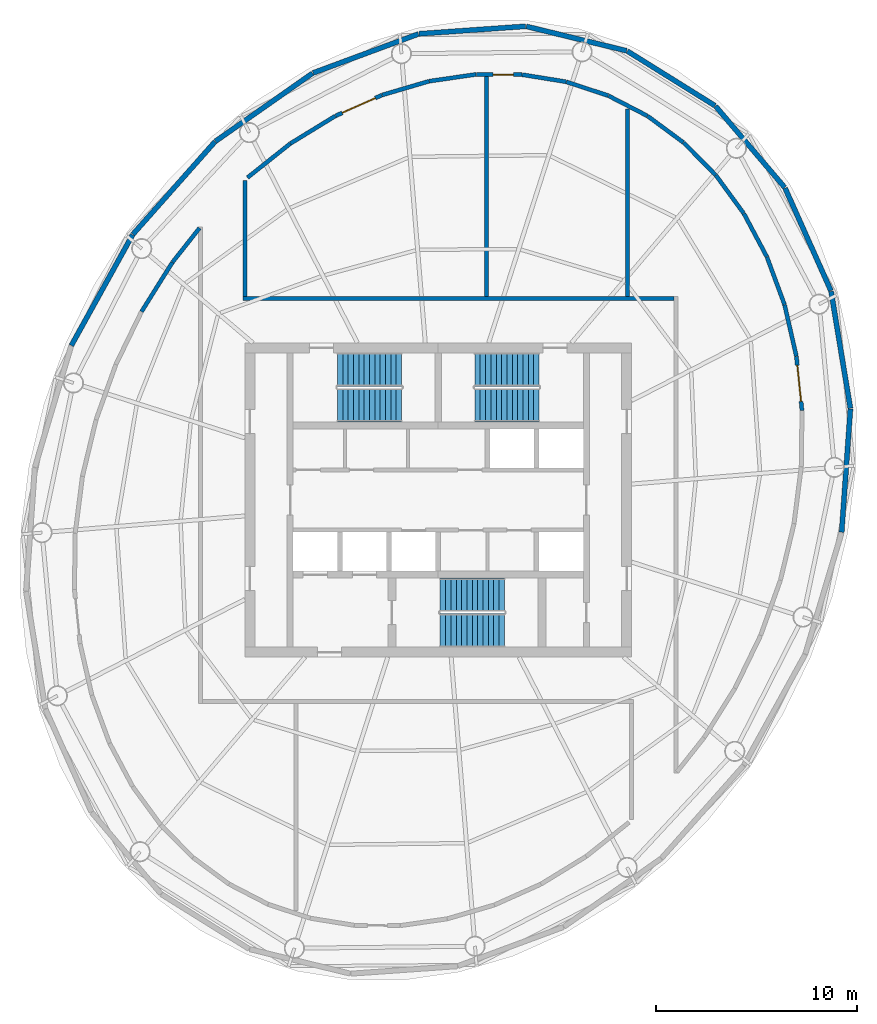
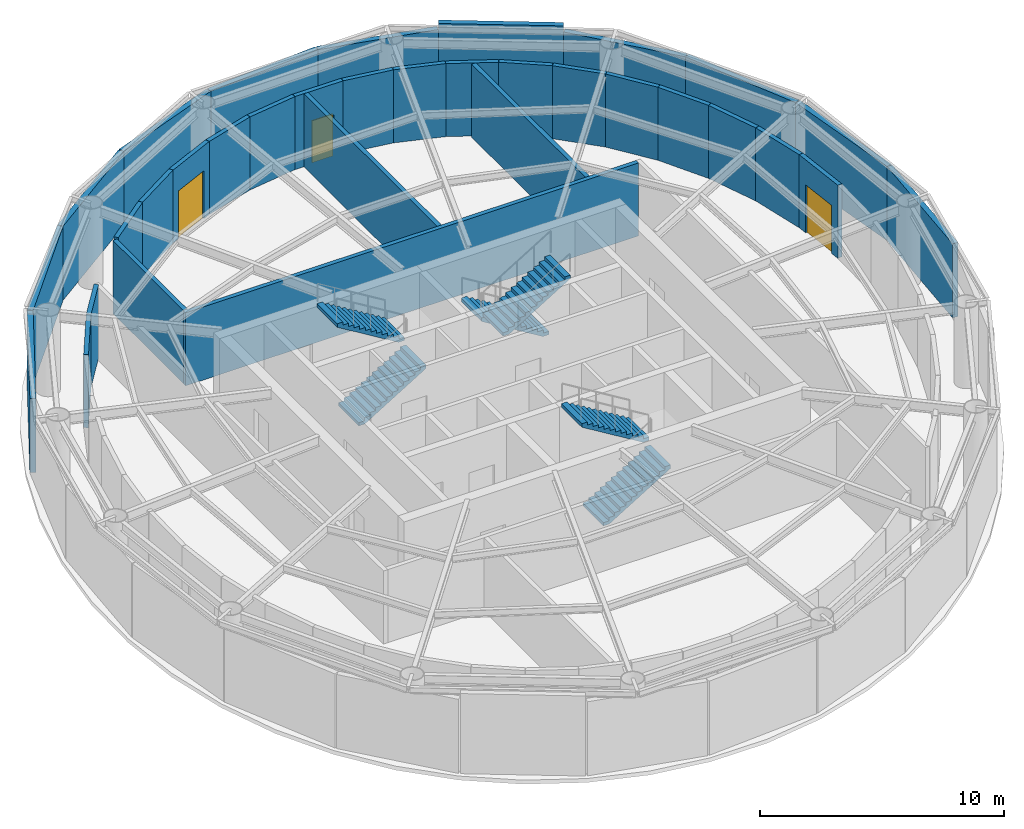
# One storey, part 5 of 6: 33 walls, 6 stair flights, 3 doors, 3 openings, 3 elements without a shape of their own.
"""IFC4 building model written with IfcOpenShell, lengths in metres."""

from ifc_helpers import new_model, si_unit, direction, frame, frame_2d, origin, place, context, subcontext, project, spatial, polyline, rectangle, outline, extrude, material, layer, layer_set, type_object, element, fill, aggregate, save


model = new_model("IFC4")

# Units and contexts
model_context = context("Model", 3, precision=1e-05, world=origin(), true_north=direction((0.0, 1.0)))
body_context = subcontext(model_context, "Body", "Model", "MODEL_VIEW")
ifc_project = project(units=[si_unit("LENGTHUNIT", "METRE"), si_unit("AREAUNIT", "SQUARE_METRE"), si_unit("VOLUMEUNIT", "CUBIC_METRE"), si_unit("PLANEANGLEUNIT", "RADIAN"), si_unit("MASSUNIT", "GRAM", prefix="KILO")], contexts=[model_context])

# Site, building, storey
site_placement = place(None, origin())
site = spatial("IfcSite", under=ifc_project, at=site_placement, CompositionType="ELEMENT")
building_placement = place(site_placement, origin())
building = spatial("IfcBuilding", under=site, at=building_placement, Name="Vermilion Reach Broadcast Tower", CompositionType="ELEMENT")
storey_placement = place(building_placement, frame((0.0, 0.0, 304.5)))
storey = spatial("IfcBuildingStorey", under=building, at=storey_placement, Name="L76 CROWN", CompositionType="ELEMENT", Elevation=304.5)

# Walls
ifc_material_1 = material(Name="Anodised aluminium louvre cladding", Category="aluminium")
ifc_layer_1 = layer(ifc_material_1, 0.25)
ifc_layer_set_1 = layer_set([ifc_layer_1], Name="Plant louvre wall 250")
wall_type_1 = type_object("IfcWallType", Name="Plant louvre wall 250", PredefinedType="SOLIDWALL", material=ifc_layer_set_1)
wall_1_placement = place(storey_placement, frame((7.736572265625, 19.56982421875, 0.0), z_axis=(0.0, 0.0, 1.0), x_axis=(-0.84872546146, 0.528833708333, 0.0)))
element("IfcWall", 1, at=wall_1_placement, inside=storey, type_object=wall_type_1, Name="Louvre wall L76 CROWN 24", PredefinedType="SOLIDWALL", context=body_context, shape_type="SweptSolid", body=[
    extrude(rectangle(XDim=5.124755859375, YDim=0.25, at=frame_2d((2.5625, 0.0))), origin(), (0.0, 0.0, 1.0), 4.0),
])
ifc_material_2 = material(Name="Anodised aluminium louvre cladding", Category="aluminium")
ifc_layer_2 = layer(ifc_material_2, 0.25)
ifc_layer_set_2 = layer_set([ifc_layer_2], Name="Plant louvre wall 250, head 300 below soffit")
wall_type_2 = type_object("IfcWallType", Name="Plant louvre wall 250, head 300 below soffit", PredefinedType="SOLIDWALL", material=ifc_layer_set_2)
wall_2_placement = place(storey_placement, frame((3.350830078125, 22.29541015625, 0.0), z_axis=(0.0, 0.0, 1.0), x_axis=(-0.971672333914, 0.236332129654, 0.0)))
element("IfcWall", 2, at=wall_2_placement, inside=storey, type_object=wall_type_2, Name="Louvre wall L76 CROWN 01", PredefinedType="SOLIDWALL", context=body_context, shape_type="SweptSolid", body=[
    extrude(rectangle(XDim=5.125, YDim=0.25, at=frame_2d((2.5625, 0.0))), origin(), (0.0, 0.0, 1.0), 3.699951171875),
])
wall_3_placement = place(storey_placement, frame((-1.666748046875, 23.509765625, 0.0), z_axis=(0.0, 0.0, 1.0), x_axis=(-0.997541335578, -0.070080552324, 0.0)))
element("IfcWall", 3, at=wall_3_placement, inside=storey, type_object=wall_type_2, Name="Louvre wall L76 CROWN 02", PredefinedType="SOLIDWALL", context=body_context, shape_type="SweptSolid", body=[
    extrude(rectangle(XDim=5.295166015625, YDim=0.25, at=frame_2d((2.6474609375, 0.0))), origin(), (0.0, 0.0, 1.0), 3.699951171875),
])
wall_4_placement = place(storey_placement, frame((-6.983154296875, 23.13134765625, 0.0), z_axis=(0.0, 0.0, 1.0), x_axis=(-0.937764073403, -0.34727300879, 0.0)))
element("IfcWall", 4, at=wall_4_placement, inside=storey, type_object=wall_type_2, Name="Louvre wall L76 CROWN 03", PredefinedType="SOLIDWALL", context=body_context, shape_type="SweptSolid", body=[
    extrude(rectangle(XDim=5.5771484375, YDim=0.25, at=frame_2d((2.78857421875, 0.0))), origin(), (0.0, 0.0, 1.0), 3.699951171875),
])
wall_5_placement = place(storey_placement, frame((-12.2412109375, 21.1796875, 0.0), z_axis=(0.0, 0.0, 1.0), x_axis=(-0.818761962214, -0.574133128492, 0.0)))
element("IfcWall", 5, at=wall_5_placement, inside=storey, type_object=wall_type_2, Name="Louvre wall L76 CROWN 04", PredefinedType="SOLIDWALL", context=body_context, shape_type="SweptSolid", body=[
    extrude(rectangle(XDim=5.88525390625, YDim=0.25, at=frame_2d((2.942626953125, 0.0))), origin(), (0.0, 0.0, 1.0), 3.699951171875),
])
wall_6_placement = place(storey_placement, frame((-17.081298828125, 17.781494140625, 0.0), z_axis=(0.0, 0.0, 1.0), x_axis=(-0.663232601491, -0.748413332537, 0.0)))
element("IfcWall", 6, at=wall_6_placement, inside=storey, type_object=wall_type_2, Name="Louvre wall L76 CROWN 05", PredefinedType="SOLIDWALL", context=body_context, shape_type="SweptSolid", body=[
    extrude(rectangle(XDim=6.139404296875, YDim=0.25, at=frame_2d((3.06982421875, 0.0))), origin(), (0.0, 0.0, 1.0), 3.699951171875),
])
wall_7_placement = place(storey_placement, frame((-21.168701171875, 13.164794921875, 0.0), z_axis=(0.0, 0.0, 1.0), x_axis=(-0.484124074201, -0.874999360445, 0.0)))
element("IfcWall", 7, at=wall_7_placement, inside=storey, type_object=wall_type_2, Name="Louvre wall L76 CROWN 06", PredefinedType="SOLIDWALL", context=body_context, shape_type="SweptSolid", body=[
    extrude(rectangle(XDim=6.281005859375, YDim=0.25, at=frame_2d((3.140625, 0.0))), origin(), (0.0, 0.0, 1.0), 3.699951171875),
])
wall_8_placement = place(storey_placement, frame((14.023681640625, -1.60009765625, 0.0), z_axis=(0.0, 0.0, 1.0), x_axis=(0.07066487406, 0.99750011307, 0.0)))
element("IfcWall", 8, at=wall_8_placement, inside=storey, type_object=wall_type_2, Name="Louvre wall L76 CROWN 20", PredefinedType="SOLIDWALL", context=body_context, shape_type="SweptSolid", body=[
    extrude(rectangle(XDim=6.139404296875, YDim=0.25, at=frame_2d((3.06982421875, 0.0))), origin(), (0.0, 0.0, 1.0), 3.699951171875),
])
wall_9_placement = place(storey_placement, frame((14.4560546875, 4.552734375, 0.0), z_axis=(0.0, 0.0, 1.0), x_axis=(-0.162616041589, 0.986689425816, 0.0)))
element("IfcWall", 9, at=wall_9_placement, inside=storey, type_object=wall_type_2, Name="Louvre wall L76 CROWN 21", PredefinedType="SOLIDWALL", context=body_context, shape_type="SweptSolid", body=[
    extrude(rectangle(XDim=5.88525390625, YDim=0.25, at=frame_2d((2.942626953125, 0.0))), origin(), (0.0, 0.0, 1.0), 3.699951171875),
])
wall_10_placement = place(storey_placement, frame((13.489990234375, 10.389892578125, 0.0), z_axis=(0.0, 0.0, 1.0), x_axis=(-0.407989751163, 0.912986507538, 0.0)))
element("IfcWall", 10, at=wall_10_placement, inside=storey, type_object=wall_type_2, Name="Louvre wall L76 CROWN 22", PredefinedType="SOLIDWALL", context=body_context, shape_type="SweptSolid", body=[
    extrude(rectangle(XDim=5.5771484375, YDim=0.25, at=frame_2d((2.78857421875, 0.0))), origin(), (0.0, 0.0, 1.0), 3.699951171875),
])
wall_11_placement = place(storey_placement, frame((11.196044921875, 15.511474609375, 0.0), z_axis=(0.0, 0.0, 1.0), x_axis=(-0.647893308308, 0.761731094973, 0.0)))
element("IfcWall", 11, at=wall_11_placement, inside=storey, type_object=wall_type_2, Name="Louvre wall L76 CROWN 23", PredefinedType="SOLIDWALL", context=body_context, shape_type="SweptSolid", body=[
    extrude(rectangle(XDim=5.295166015625, YDim=0.25, at=frame_2d((2.6474609375, 0.0))), origin(), (0.0, 0.0, 1.0), 3.699951171875),
])
ifc_material_3 = material(Name="Gypsum board shaft wall")
ifc_layer_3 = layer(ifc_material_3, 0.199951171875)
ifc_layer_set_3 = layer_set([ifc_layer_3], Name="Plant room wall 200")
wall_type_3 = type_object("IfcWallType", Name="Plant room wall 200", PredefinedType="PARTITIONING", material=ifc_layer_set_3)
wall_12_placement = place(storey_placement, frame((-15.7001953125, 10.0, 0.0), z_axis=(0.0, 0.0, 1.0), x_axis=(1.0, 0.0, 0.0)))
element("IfcWall", 12, at=wall_12_placement, inside=storey, type_object=wall_type_3, Name="sp.wall.L76 CROWN.000", PredefinedType="PARTITIONING", context=body_context, shape_type="SweptSolid", body=[
    extrude(rectangle(XDim=21.400146484375, YDim=0.199951171875, at=frame_2d((10.7001953125, 0.0))), origin(), (0.0, 0.0, 1.0), 3.64990234375),
])
wall_13_placement = place(storey_placement, frame((-15.60009765625, 10.10009765625, 0.0), z_axis=(0.0, 0.0, 1.0), x_axis=(0.0, 1.0, 0.0)))
element("IfcWall", 13, at=wall_13_placement, inside=storey, type_object=wall_type_3, Name="sp.wall.L76 CROWN.004", PredefinedType="PARTITIONING", context=body_context, shape_type="SweptSolid", body=[
    extrude(rectangle(XDim=5.767333984375, YDim=0.199951171875, at=frame_2d((2.8837890625, 0.0))), origin(), (0.0, 0.0, 1.0), 3.64990234375),
])
wall_14_placement = place(storey_placement, frame((-3.60009765625, 10.10009765625, 0.0), z_axis=(0.0, 0.0, 1.0), x_axis=(0.0, 1.0, 0.0)))
element("IfcWall", 14, at=wall_14_placement, inside=storey, type_object=wall_type_3, Name="sp.wall.L76 CROWN.006", PredefinedType="PARTITIONING", context=body_context, shape_type="SweptSolid", body=[
    extrude(rectangle(XDim=10.919921875, YDim=0.199951171875, at=frame_2d((5.4599609375, 0.0))), origin(), (0.0, 0.0, 1.0), 3.64990234375),
])
wall_15_placement = place(storey_placement, frame((-15.467529296875, 16.0009765625, 0.0), z_axis=(0.0, 0.0, 1.0), x_axis=(0.782665833332, 0.62244212047, 0.0)))
element("IfcWall", 15, at=wall_15_placement, inside=storey, type_object=wall_type_3, Name="sp.wall.L76 CROWN.007", PredefinedType="PARTITIONING", context=body_context, shape_type="SweptSolid", body=[
    extrude(rectangle(XDim=2.712158203125, YDim=0.199951171875, at=frame_2d((1.35595703125, 0.0))), origin(), (0.0, 0.0, 1.0), 3.64990234375),
])
wall_16_placement = place(storey_placement, frame((-13.334228515625, 17.69580078125, 0.0), z_axis=(0.0, 0.0, 1.0), x_axis=(0.852667029926, 0.522454721557, 0.0)))
element("IfcWall", 16, at=wall_16_placement, inside=storey, type_object=wall_type_3, Name="sp.wall.L76 CROWN.008", PredefinedType="PARTITIONING", context=body_context, shape_type="SweptSolid", body=[
    extrude(rectangle(XDim=2.613525390625, YDim=0.199951171875, at=frame_2d((1.306640625, 0.0))), origin(), (0.0, 0.0, 1.0), 3.64990234375),
])

# Wall, opening, door
wall_17_placement = place(storey_placement, frame((-8.7939453125, 20.097412109375, 0.0), z_axis=(0.0, 0.0, 1.0), x_axis=(-0.912552955942, -0.408958558538, 0.0)))
wall_17 = element("IfcWall", 17, at=wall_17_placement, inside=storey, type_object=wall_type_3, Name="sp.wall.L76 CROWN.009", PredefinedType="PARTITIONING", context=body_context, shape_type="SweptSolid", body=[
    extrude(rectangle(XDim=2.5205078125, YDim=0.199951171875, at=frame_2d((1.26025390625, 0.0))), origin(), (0.0, 0.0, 1.0), 3.64990234375),
])
opening_1_placement = place(wall_17_placement, frame((0.360107421875, 0.0, 0.0)))
opening_1 = element("IfcOpeningElement", 18, at=opening_1_placement, cuts=wall_17, Name="Opening D53", PredefinedType="OPENING", context=body_context, shape_type="SweptSolid", body=[
    extrude(rectangle(XDim=1.800048828125, YDim=2.39990234375, at=frame_2d((0.89990234375, 1.199951171875))), frame((0.0, 0.10986328125, 0.0), z_axis=(0.0, -1.0, 0.0), x_axis=(1.0, 0.0, 0.0)), (0.0, 0.0, 1.0), 0.219970703125),
])
ifc_material_4 = material(Name="Timber and steel door set", Category="steel")
door_type_1 = type_object("IfcDoorType", Name="Plant double door 1800x2400", OperationType="NOTDEFINED", PredefinedType="DOOR", material=ifc_material_4)
door_1_placement = place(opening_1_placement, origin())
door_1 = element("IfcDoor", 19, at=door_1_placement, inside=storey, type_object=door_type_1, Name="sp.door.L76 CROWN.000", OperationType="DOUBLE_DOOR_SINGLE_SWING", OverallHeight=2.39990234375, OverallWidth=1.800048828125, PredefinedType="DOOR", context=body_context, shape_type="SweptSolid", body=[
    extrude(rectangle(XDim=1.800048828125, YDim=2.39990234375, at=frame_2d((0.89990234375, 1.199951171875))), frame((0.0, 0.02490234375, 0.0), z_axis=(0.0, -1.0, 0.0), x_axis=(1.0, 0.0, 0.0)), (0.0, 0.0, 1.0), 0.050048828125),
])
fill(opening_1, door_1)

# Walls
wall_18_placement = place(storey_placement, frame((-8.781005859375, 20.101318359375, 0.0), z_axis=(0.0, 0.0, 1.0), x_axis=(0.95934146389, 0.28224803925, 0.0)))
element("IfcWall", 20, at=wall_18_placement, inside=storey, type_object=wall_type_3, Name="sp.wall.L76 CROWN.010", PredefinedType="PARTITIONING", context=body_context, shape_type="SweptSolid", body=[
    extrude(rectangle(XDim=2.42626953125, YDim=0.199951171875, at=frame_2d((1.213134765625, 0.0))), origin(), (0.0, 0.0, 1.0), 3.64990234375),
])
wall_19_placement = place(storey_placement, frame((-6.439208984375, 20.7880859375, 0.0), z_axis=(0.0, 0.0, 1.0), x_axis=(0.989671979467, 0.143350525141, 0.0)))
element("IfcWall", 21, at=wall_19_placement, inside=storey, type_object=wall_type_3, Name="sp.wall.L76 CROWN.011", PredefinedType="PARTITIONING", context=body_context, shape_type="SweptSolid", body=[
    extrude(rectangle(XDim=2.33837890625, YDim=0.199951171875, at=frame_2d((1.169189453125, 0.0))), origin(), (0.0, 0.0, 1.0), 3.64990234375),
])

# Wall, opening, door
wall_20_placement = place(storey_placement, frame((-1.84619140625, 21.111328125, 0.0), z_axis=(0.0, 0.0, 1.0), x_axis=(-0.999986603133, 0.005176248997, 0.0)))
wall_20 = element("IfcWall", 22, at=wall_20_placement, inside=storey, type_object=wall_type_3, Name="sp.wall.L76 CROWN.012", PredefinedType="PARTITIONING", context=body_context, shape_type="SweptSolid", body=[
    extrude(rectangle(XDim=2.263916015625, YDim=0.199951171875, at=frame_2d((1.1318359375, 0.0))), origin(), (0.0, 0.0, 1.0), 3.64990234375),
])
opening_2_placement = place(wall_20_placement, frame((0.427001953125, 0.0, 0.0)))
opening_2 = element("IfcOpeningElement", 23, at=opening_2_placement, cuts=wall_20, Name="Opening D54", PredefinedType="OPENING", context=body_context, shape_type="SweptSolid", body=[
    extrude(rectangle(XDim=1.0, YDim=2.10009765625, at=frame_2d((0.5, 1.050048828125))), frame((0.0, 0.10986328125, 0.0), z_axis=(0.0, -1.0, 0.0), x_axis=(1.0, 0.0, 0.0)), (0.0, 0.0, 1.0), 0.219970703125),
])
ifc_material_5 = material(Name="Timber and steel door set", Category="steel")
door_type_2 = type_object("IfcDoorType", Name="Fire door 1000x2100", OperationType="NOTDEFINED", PredefinedType="DOOR", material=ifc_material_5)
door_2_placement = place(opening_2_placement, origin())
door_2 = element("IfcDoor", 24, at=door_2_placement, inside=storey, type_object=door_type_2, Name="sp.door.L76 CROWN.001", OperationType="SINGLE_SWING_RIGHT", OverallHeight=2.10009765625, OverallWidth=1.0, PredefinedType="DOOR", context=body_context, shape_type="SweptSolid", body=[
    extrude(rectangle(XDim=1.0, YDim=2.10009765625, at=frame_2d((0.5, 1.050048828125))), frame((0.0, 0.02490234375, 0.0), z_axis=(0.0, -1.0, 0.0), x_axis=(1.0, 0.0, 0.0)), (0.0, 0.0, 1.0), 0.050048828125),
])
fill(opening_2, door_2)

# Walls
wall_21_placement = place(storey_placement, frame((3.39990234375, 10.10009765625, 0.0), z_axis=(0.0, 0.0, 1.0), x_axis=(0.0, 1.0, 0.0)))
element("IfcWall", 25, at=wall_21_placement, inside=storey, type_object=wall_type_3, Name="sp.wall.L76 CROWN.013", PredefinedType="PARTITIONING", context=body_context, shape_type="SweptSolid", body=[
    extrude(rectangle(XDim=9.30712890625, YDim=0.199951171875, at=frame_2d((4.653564453125, 0.0))), origin(), (0.0, 0.0, 1.0), 3.64990234375),
])
wall_22_placement = place(storey_placement, frame((-1.830810546875, 21.10888671875, 0.0), z_axis=(0.0, 0.0, 1.0), x_axis=(0.987257926423, -0.159128208423, 0.0)))
element("IfcWall", 26, at=wall_22_placement, inside=storey, type_object=wall_type_3, Name="sp.wall.L76 CROWN.014", PredefinedType="PARTITIONING", context=body_context, shape_type="SweptSolid", body=[
    extrude(rectangle(XDim=2.209228515625, YDim=0.199951171875, at=frame_2d((1.1044921875, 0.0))), origin(), (0.0, 0.0, 1.0), 3.64990234375),
])
wall_23_placement = place(storey_placement, frame((0.365478515625, 20.752197265625, 0.0), z_axis=(0.0, 0.0, 1.0), x_axis=(0.949852302688, -0.312698901627, 0.0)))
element("IfcWall", 27, at=wall_23_placement, inside=storey, type_object=wall_type_3, Name="sp.wall.L76 CROWN.015", PredefinedType="PARTITIONING", context=body_context, shape_type="SweptSolid", body=[
    extrude(rectangle(XDim=2.1806640625, YDim=0.199951171875, at=frame_2d((1.09033203125, 0.0))), origin(), (0.0, 0.0, 1.0), 3.64990234375),
])
wall_24_placement = place(storey_placement, frame((2.450927734375, 20.062744140625, 0.0), z_axis=(0.0, 0.0, 1.0), x_axis=(0.888068415533, -0.45971131086, 0.0)))
element("IfcWall", 28, at=wall_24_placement, inside=storey, type_object=wall_type_3, Name="sp.wall.L76 CROWN.016", PredefinedType="PARTITIONING", context=body_context, shape_type="SweptSolid", body=[
    extrude(rectangle(XDim=2.16455078125, YDim=0.199951171875, at=frame_2d((1.082275390625, 0.0))), origin(), (0.0, 0.0, 1.0), 3.64990234375),
])
wall_25_placement = place(storey_placement, frame((7.780029296875, 16.11865234375, 0.0), z_axis=(0.0, 0.0, 1.0), x_axis=(0.590082027637, -0.807343297897, 0.0)))
element("IfcWall", 29, at=wall_25_placement, inside=storey, type_object=wall_type_3, Name="sp.wall.L76 CROWN.017", PredefinedType="PARTITIONING", context=body_context, shape_type="SweptSolid", body=[
    extrude(rectangle(XDim=2.33837890625, YDim=0.199951171875, at=frame_2d((1.169189453125, 0.0))), origin(), (0.0, 0.0, 1.0), 3.64990234375),
])
wall_26_placement = place(storey_placement, frame((9.168212890625, 14.21923828125, 0.0), z_axis=(0.0, 0.0, 1.0), x_axis=(0.469611304199, -0.882873276846, 0.0)))
element("IfcWall", 30, at=wall_26_placement, inside=storey, type_object=wall_type_3, Name="sp.wall.L76 CROWN.018", PredefinedType="PARTITIONING", context=body_context, shape_type="SweptSolid", body=[
    extrude(rectangle(XDim=2.42626953125, YDim=0.199951171875, at=frame_2d((1.213134765625, 0.0))), origin(), (0.0, 0.0, 1.0), 3.64990234375),
])
wall_27_placement = place(storey_placement, frame((10.31396484375, 12.065185546875, 0.0), z_axis=(0.0, 0.0, 1.0), x_axis=(0.34620358582, -0.938159409251, 0.0)))
element("IfcWall", 31, at=wall_27_placement, inside=storey, type_object=wall_type_3, Name="sp.wall.L76 CROWN.019", PredefinedType="PARTITIONING", context=body_context, shape_type="SweptSolid", body=[
    extrude(rectangle(XDim=2.520263671875, YDim=0.199951171875, at=frame_2d((1.26025390625, 0.0))), origin(), (0.0, 0.0, 1.0), 3.64990234375),
])
wall_28_placement = place(storey_placement, frame((11.19091796875, 9.688720703125, 0.0), z_axis=(0.0, 0.0, 1.0), x_axis=(0.223324390074, -0.974744180182, 0.0)))
element("IfcWall", 32, at=wall_28_placement, inside=storey, type_object=wall_type_3, Name="sp.wall.L76 CROWN.020", PredefinedType="PARTITIONING", context=body_context, shape_type="SweptSolid", body=[
    extrude(rectangle(XDim=2.61376953125, YDim=0.199951171875, at=frame_2d((1.306884765625, 0.0))), origin(), (0.0, 0.0, 1.0), 3.64990234375),
])

# Wall, opening, door
wall_29_placement = place(storey_placement, frame((12.05517578125, 4.442626953125, 0.0), z_axis=(0.0, 0.0, 1.0), x_axis=(-0.102877560919, 0.994694027055, 0.0)))
wall_29 = element("IfcWall", 33, at=wall_29_placement, inside=storey, type_object=wall_type_3, Name="sp.wall.L76 CROWN.021", PredefinedType="PARTITIONING", context=body_context, shape_type="SweptSolid", body=[
    extrude(rectangle(XDim=2.70068359375, YDim=0.199951171875, at=frame_2d((1.350341796875, 0.0))), origin(), (0.0, 0.0, 1.0), 3.64990234375),
])
opening_3_placement = place(wall_29_placement, frame((0.4501953125, 0.0, 0.0)))
opening_3 = element("IfcOpeningElement", 34, at=opening_3_placement, cuts=wall_29, Name="Opening D53", PredefinedType="OPENING", context=body_context, shape_type="SweptSolid", body=[
    extrude(rectangle(XDim=1.800048828125, YDim=2.39990234375, at=frame_2d((0.89990234375, 1.199951171875))), frame((0.0, 0.10986328125, 0.0), z_axis=(0.0, -1.0, 0.0), x_axis=(1.0, 0.0, 0.0)), (0.0, 0.0, 1.0), 0.219970703125),
])
door_3_placement = place(opening_3_placement, origin())
door_3 = element("IfcDoor", 35, at=door_3_placement, inside=storey, type_object=door_type_1, Name="sp.door.L76 CROWN.002", OperationType="DOUBLE_DOOR_SINGLE_SWING", OverallHeight=2.39990234375, OverallWidth=1.800048828125, PredefinedType="DOOR", context=body_context, shape_type="SweptSolid", body=[
    extrude(rectangle(XDim=1.800048828125, YDim=2.39990234375, at=frame_2d((0.89990234375, 1.199951171875))), frame((0.0, 0.02490234375, 0.0), z_axis=(0.0, -1.0, 0.0), x_axis=(1.0, 0.0, 0.0)), (0.0, 0.0, 1.0), 0.050048828125),
])
fill(opening_3, door_3)

# Walls
wall_30_placement = place(storey_placement, frame((4.387451171875, 19.060302734375, 0.0), z_axis=(0.0, 0.0, 1.0), x_axis=(0.80443326696, -0.594043027909, 0.0)))
element("IfcWall", 36, at=wall_30_placement, inside=storey, type_object=wall_type_3, Name="sp.wall.L76 CROWN.029", PredefinedType="PARTITIONING", context=body_context, shape_type="SweptSolid", body=[
    extrude(rectangle(XDim=2.20947265625, YDim=0.199951171875, at=frame_2d((1.104736328125, 0.0))), origin(), (0.0, 0.0, 1.0), 3.64990234375),
])
wall_31_placement = place(storey_placement, frame((6.17724609375, 17.738525390625, 0.0), z_axis=(0.0, 0.0, 1.0), x_axis=(0.703376280453, -0.710817703843, 0.0)))
element("IfcWall", 37, at=wall_31_placement, inside=storey, type_object=wall_type_3, Name="sp.wall.L76 CROWN.030", PredefinedType="PARTITIONING", context=body_context, shape_type="SweptSolid", body=[
    extrude(rectangle(XDim=2.263671875, YDim=0.199951171875, at=frame_2d((1.1318359375, 0.0))), origin(), (0.0, 0.0, 1.0), 3.64990234375),
])
wall_32_placement = place(storey_placement, frame((-20.724609375, 9.352294921875, 0.0), z_axis=(0.0, 0.0, 1.0), x_axis=(0.530761457751, 0.847521253401, 0.0)))
element("IfcWall", 38, at=wall_32_placement, inside=storey, type_object=wall_type_3, Name="sp.wall.L76 CROWN.045", PredefinedType="PARTITIONING", context=body_context, shape_type="SweptSolid", body=[
    extrude(rectangle(XDim=2.877197265625, YDim=0.199951171875, at=frame_2d((1.4384765625, 0.0))), origin(), (0.0, 0.0, 1.0), 3.64990234375),
])
wall_33_placement = place(storey_placement, frame((-19.190673828125, 11.79931640625, 0.0), z_axis=(0.0, 0.0, 1.0), x_axis=(0.620321195124, 0.784347891487, 0.0)))
element("IfcWall", 39, at=wall_33_placement, inside=storey, type_object=wall_type_3, Name="sp.wall.L76 CROWN.046", PredefinedType="PARTITIONING", context=body_context, shape_type="SweptSolid", body=[
    extrude(rectangle(XDim=2.16259765625, YDim=0.199951171875, at=frame_2d((1.081298828125, 0.0))), origin(), (0.0, 0.0, 1.0), 3.64990234375),
])

# Stair, stair flights
ifc_material_6 = material(Name="Concrete C40", Category="concrete")
stair_type = type_object("IfcStairType", Name="Exit stair RC 26 risers 162 mm", PredefinedType="HALF_TURN_STAIR", material=ifc_material_6)
placement = place(storey_placement, origin())
stair_1 = element("IfcStair", 40, at=placement, inside=storey, type_object=stair_type, Name="L76 CROWN Exit stair ST1", PredefinedType="HALF_TURN_STAIR")
ifc_material_7 = material(Name="Concrete C40", Category="concrete")
stair_flight_type = type_object("IfcStairFlightType", Name="Exit stair flight RC 13 risers", PredefinedType="STRAIGHT", material=ifc_material_7)
stair_flight_1_placement = place(storey_placement, frame((-11.0, 4.7099609375, 0.0), z_axis=(0.0, 0.0, 1.0), x_axis=(1.0, 0.0, 0.0)))
stair_flight_1 = element("IfcStairFlight", 41, at=stair_flight_1_placement, type_object=stair_flight_type, Name="ST1 flight 1", NumberOfRisers=13, NumberOfTreads=12, PredefinedType="STRAIGHT", RiserHeight=0.161538462, TreadLength=0.265, context=body_context, shape_type="SweptSolid", body=[
    extrude(outline(polyline([(0.0, 0.0), (0.0, 0.16162109375), (0.264892578125, 0.16162109375), (0.264892578125, 0.322998046875), (0.530029296875, 0.322998046875), (0.530029296875, 0.484619140625), (0.794921875, 0.484619140625), (0.794921875, 0.646240234375), (1.06005859375, 0.646240234375), (1.06005859375, 0.8076171875), (1.324951171875, 0.8076171875), (1.324951171875, 0.96923828125), (1.590087890625, 0.96923828125), (1.590087890625, 1.130859375), (1.85498046875, 1.130859375), (1.85498046875, 1.292236328125), (2.1201171875, 1.292236328125), (2.1201171875, 1.453857421875), (2.385009765625, 1.453857421875), (2.385009765625, 1.615478515625), (2.64990234375, 1.615478515625), (2.64990234375, 1.77685546875), (2.9150390625, 1.77685546875), (2.9150390625, 1.9384765625), (3.179931640625, 1.9384765625), (3.179931640625, 2.10009765625), (3.179931640625, 1.762939453125), (0.2880859375, 0.0), (0.0, 0.0)])), frame((0.0, 0.830078125, 0.0), z_axis=(0.0, -1.0, 0.0), x_axis=(1.0, 0.0, 0.0)), (0.0, 0.0, 1.0), 1.659912109375),
])
stair_flight_2_placement = place(storey_placement, frame((-7.820068359375, 6.469970703125, 2.10009765625), z_axis=(0.0, 0.0, 1.0), x_axis=(-1.0, 0.0, 0.0)))
stair_flight_2 = element("IfcStairFlight", 42, at=stair_flight_2_placement, type_object=stair_flight_type, Name="ST1 flight 2", NumberOfRisers=13, NumberOfTreads=12, PredefinedType="STRAIGHT", RiserHeight=0.161538462, TreadLength=0.265, context=body_context, shape_type="SweptSolid", body=[
    extrude(outline(polyline([(0.0, 0.0), (0.0, 0.16162109375), (0.264892578125, 0.16162109375), (0.264892578125, 0.322998046875), (0.530029296875, 0.322998046875), (0.530029296875, 0.484619140625), (0.794921875, 0.484619140625), (0.794921875, 0.646240234375), (1.06005859375, 0.646240234375), (1.06005859375, 0.8076171875), (1.324951171875, 0.8076171875), (1.324951171875, 0.96923828125), (1.590087890625, 0.96923828125), (1.590087890625, 1.130859375), (1.85498046875, 1.130859375), (1.85498046875, 1.292236328125), (2.1201171875, 1.292236328125), (2.1201171875, 1.453857421875), (2.385009765625, 1.453857421875), (2.385009765625, 1.615478515625), (2.64990234375, 1.615478515625), (2.64990234375, 1.77685546875), (2.9150390625, 1.77685546875), (2.9150390625, 1.9384765625), (3.179931640625, 1.9384765625), (3.179931640625, 2.10009765625), (3.179931640625, 1.762939453125), (0.2880859375, 0.0), (0.0, 0.0)])), frame((0.0, 0.830078125, 0.0), z_axis=(0.0, -1.0, 0.0), x_axis=(1.0, 0.0, 0.0)), (0.0, 0.0, 1.0), 1.659912109375),
])
aggregate(stair_1, [stair_flight_1, stair_flight_2])

stair_2 = element("IfcStair", 43, at=placement, inside=storey, type_object=stair_type, Name="L76 CROWN Exit stair ST2", PredefinedType="HALF_TURN_STAIR")
stair_flight_3_placement = place(storey_placement, frame((-1.0, 6.469970703125, 0.0), z_axis=(0.0, 0.0, 1.0), x_axis=(-1.0, 0.0, 0.0)))
stair_flight_3 = element("IfcStairFlight", 44, at=stair_flight_3_placement, type_object=stair_flight_type, Name="ST2 flight 1", NumberOfRisers=13, NumberOfTreads=12, PredefinedType="STRAIGHT", RiserHeight=0.161538462, TreadLength=0.265, context=body_context, shape_type="SweptSolid", body=[
    extrude(outline(polyline([(0.0, 0.0), (0.0, 0.16162109375), (0.264892578125, 0.16162109375), (0.264892578125, 0.322998046875), (0.530029296875, 0.322998046875), (0.530029296875, 0.484619140625), (0.794921875, 0.484619140625), (0.794921875, 0.646240234375), (1.06005859375, 0.646240234375), (1.06005859375, 0.8076171875), (1.324951171875, 0.8076171875), (1.324951171875, 0.96923828125), (1.590087890625, 0.96923828125), (1.590087890625, 1.130859375), (1.85498046875, 1.130859375), (1.85498046875, 1.292236328125), (2.1201171875, 1.292236328125), (2.1201171875, 1.453857421875), (2.385009765625, 1.453857421875), (2.385009765625, 1.615478515625), (2.64990234375, 1.615478515625), (2.64990234375, 1.77685546875), (2.9150390625, 1.77685546875), (2.9150390625, 1.9384765625), (3.179931640625, 1.9384765625), (3.179931640625, 2.10009765625), (3.179931640625, 1.762939453125), (0.2880859375, 0.0), (0.0, 0.0)])), frame((0.0, 0.830078125, 0.0), z_axis=(0.0, -1.0, 0.0), x_axis=(1.0, 0.0, 0.0)), (0.0, 0.0, 1.0), 1.659912109375),
])
stair_flight_4_placement = place(storey_placement, frame((-4.179931640625, 4.7099609375, 2.10009765625), z_axis=(0.0, 0.0, 1.0), x_axis=(1.0, 0.0, 0.0)))
stair_flight_4 = element("IfcStairFlight", 45, at=stair_flight_4_placement, type_object=stair_flight_type, Name="ST2 flight 2", NumberOfRisers=13, NumberOfTreads=12, PredefinedType="STRAIGHT", RiserHeight=0.161538462, TreadLength=0.265, context=body_context, shape_type="SweptSolid", body=[
    extrude(outline(polyline([(0.0, 0.0), (0.0, 0.16162109375), (0.264892578125, 0.16162109375), (0.264892578125, 0.322998046875), (0.530029296875, 0.322998046875), (0.530029296875, 0.484619140625), (0.794921875, 0.484619140625), (0.794921875, 0.646240234375), (1.06005859375, 0.646240234375), (1.06005859375, 0.8076171875), (1.324951171875, 0.8076171875), (1.324951171875, 0.96923828125), (1.590087890625, 0.96923828125), (1.590087890625, 1.130859375), (1.85498046875, 1.130859375), (1.85498046875, 1.292236328125), (2.1201171875, 1.292236328125), (2.1201171875, 1.453857421875), (2.385009765625, 1.453857421875), (2.385009765625, 1.615478515625), (2.64990234375, 1.615478515625), (2.64990234375, 1.77685546875), (2.9150390625, 1.77685546875), (2.9150390625, 1.9384765625), (3.179931640625, 1.9384765625), (3.179931640625, 2.10009765625), (3.179931640625, 1.762939453125), (0.2880859375, 0.0), (0.0, 0.0)])), frame((0.0, 0.830078125, 0.0), z_axis=(0.0, -1.0, 0.0), x_axis=(1.0, 0.0, 0.0)), (0.0, 0.0, 1.0), 1.659912109375),
])
aggregate(stair_2, [stair_flight_3, stair_flight_4])

stair_3 = element("IfcStair", 46, at=placement, inside=storey, type_object=stair_type, Name="L76 CROWN Exit stair ST3", PredefinedType="HALF_TURN_STAIR")
stair_flight_5_placement = place(storey_placement, frame((-5.89990234375, -6.469970703125, 0.0), z_axis=(0.0, 0.0, 1.0), x_axis=(1.0, 0.0, 0.0)))
stair_flight_5 = element("IfcStairFlight", 47, at=stair_flight_5_placement, type_object=stair_flight_type, Name="ST3 flight 1", NumberOfRisers=13, NumberOfTreads=12, PredefinedType="STRAIGHT", RiserHeight=0.161538462, TreadLength=0.265, context=body_context, shape_type="SweptSolid", body=[
    extrude(outline(polyline([(0.0, 0.0), (0.0, 0.16162109375), (0.264892578125, 0.16162109375), (0.264892578125, 0.322998046875), (0.530029296875, 0.322998046875), (0.530029296875, 0.484619140625), (0.794921875, 0.484619140625), (0.794921875, 0.646240234375), (1.06005859375, 0.646240234375), (1.06005859375, 0.8076171875), (1.324951171875, 0.8076171875), (1.324951171875, 0.96923828125), (1.590087890625, 0.96923828125), (1.590087890625, 1.130859375), (1.85498046875, 1.130859375), (1.85498046875, 1.292236328125), (2.1201171875, 1.292236328125), (2.1201171875, 1.453857421875), (2.385009765625, 1.453857421875), (2.385009765625, 1.615478515625), (2.64990234375, 1.615478515625), (2.64990234375, 1.77685546875), (2.9150390625, 1.77685546875), (2.9150390625, 1.9384765625), (3.179931640625, 1.9384765625), (3.179931640625, 2.10009765625), (3.179931640625, 1.762939453125), (0.2880859375, 0.0), (0.0, 0.0)])), frame((0.0, 0.830078125, 0.0), z_axis=(0.0, -1.0, 0.0), x_axis=(1.0, 0.0, 0.0)), (0.0, 0.0, 1.0), 1.659912109375),
])
stair_flight_6_placement = place(storey_placement, frame((-2.719970703125, -4.7099609375, 2.10009765625), z_axis=(0.0, 0.0, 1.0), x_axis=(-1.0, 0.0, 0.0)))
stair_flight_6 = element("IfcStairFlight", 48, at=stair_flight_6_placement, type_object=stair_flight_type, Name="ST3 flight 2", NumberOfRisers=13, NumberOfTreads=12, PredefinedType="STRAIGHT", RiserHeight=0.161538462, TreadLength=0.265, context=body_context, shape_type="SweptSolid", body=[
    extrude(outline(polyline([(0.0, 0.0), (0.0, 0.16162109375), (0.264892578125, 0.16162109375), (0.264892578125, 0.322998046875), (0.530029296875, 0.322998046875), (0.530029296875, 0.484619140625), (0.794921875, 0.484619140625), (0.794921875, 0.646240234375), (1.06005859375, 0.646240234375), (1.06005859375, 0.8076171875), (1.324951171875, 0.8076171875), (1.324951171875, 0.96923828125), (1.590087890625, 0.96923828125), (1.590087890625, 1.130859375), (1.85498046875, 1.130859375), (1.85498046875, 1.292236328125), (2.1201171875, 1.292236328125), (2.1201171875, 1.453857421875), (2.385009765625, 1.453857421875), (2.385009765625, 1.615478515625), (2.64990234375, 1.615478515625), (2.64990234375, 1.77685546875), (2.9150390625, 1.77685546875), (2.9150390625, 1.9384765625), (3.179931640625, 1.9384765625), (3.179931640625, 2.10009765625), (3.179931640625, 1.762939453125), (0.2880859375, 0.0), (0.0, 0.0)])), frame((0.0, 0.830078125, 0.0), z_axis=(0.0, -1.0, 0.0), x_axis=(1.0, 0.0, 0.0)), (0.0, 0.0, 1.0), 1.659912109375),
])
aggregate(stair_3, [stair_flight_5, stair_flight_6])

save(model, "model.ifc")
